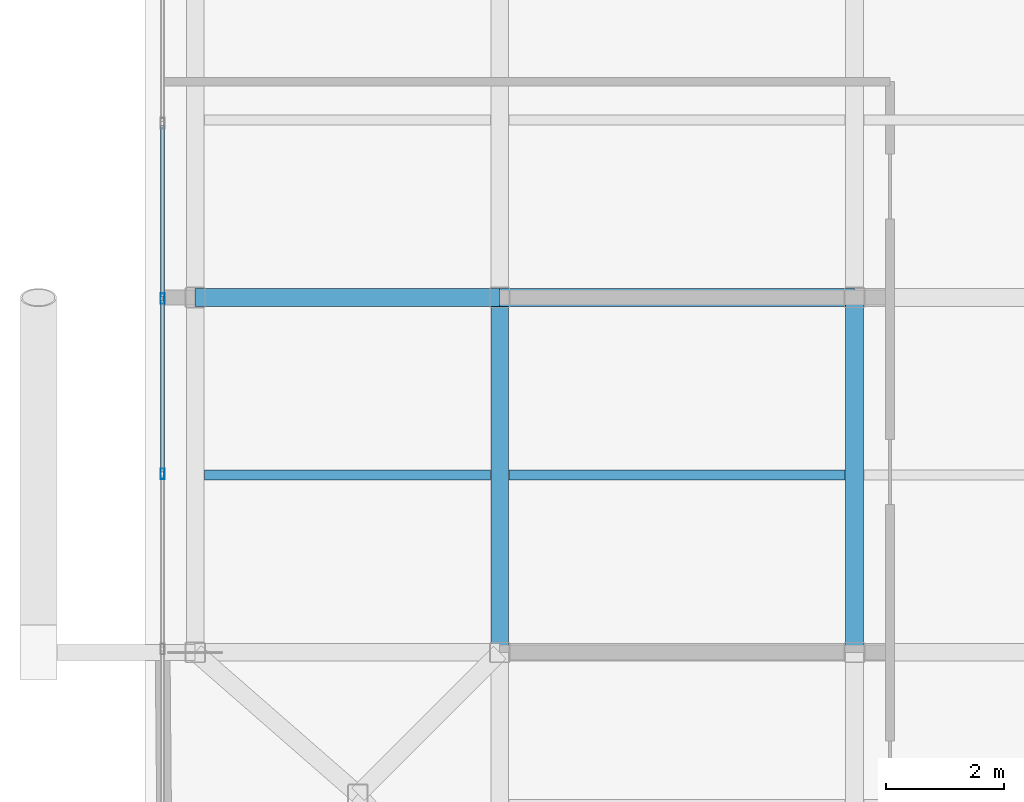
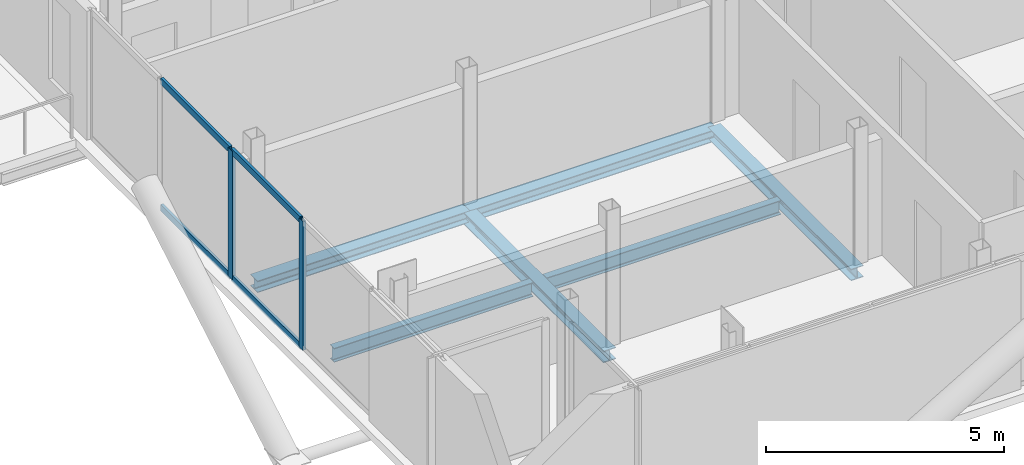
# One storey, part 4 of 19: 6 beams, 6 members, 1 element without a shape of its own.
"""IFC4 building model written with IfcOpenShell, lengths in metres."""

from ifc_helpers import new_model, si_unit, direction, frame, origin, origin_2d, place, context, subcontext, project, spatial, hollow_rectangle, i_section, extrude, material, layer, layer_set, material_profile, profile_set, type_object, element, aggregate, save


model = new_model("IFC4")

# Units and contexts
model_context = context("Model", 3, precision=1e-05, world=origin(), true_north=direction((0.0, 1.0)))
body_context = subcontext(model_context, "Body", "Model", "MODEL_VIEW")
ifc_project = project(units=[si_unit("LENGTHUNIT", "METRE"), si_unit("AREAUNIT", "SQUARE_METRE"), si_unit("VOLUMEUNIT", "CUBIC_METRE"), si_unit("PLANEANGLEUNIT", "RADIAN"), si_unit("MASSUNIT", "GRAM", prefix="KILO"), si_unit("THERMODYNAMICTEMPERATUREUNIT", "KELVIN"), si_unit("POWERUNIT", "WATT")], contexts=[model_context])

# Site, building, storey
site_placement = place(None, origin())
site = spatial("IfcSite", under=ifc_project, at=site_placement, CompositionType="ELEMENT")
building_placement = place(site_placement, origin())
building = spatial("IfcBuilding", under=site, at=building_placement, Name="Svarakhadi Broadcast Tower", CompositionType="ELEMENT")
storey_placement = place(building_placement, frame((0.0, 0.0, 285.199951171875)))
storey = spatial("IfcBuildingStorey", under=building, at=storey_placement, Name="L72", CompositionType="ELEMENT", Elevation=285.199951171875)

# Beams
ifc_material_1 = material(Name="Steel S355J2 (IS 2062 E350C)", Category="steel")
ifc_material_profile_1 = material_profile(ifc_material_1, i_section(OverallWidth=0.169921875, OverallDepth=0.360107421875, WebThickness=0.008056640625, FlangeThickness=0.0126953125, FilletRadius=0.01806640625, at=origin_2d()), Name="NPB 360x170x57")
ifc_profile_set_1 = profile_set([ifc_material_profile_1], Name="Steel S355J2 (IS 2062 E350C)")
beam_type_1 = type_object("IfcBeamType", Name="Beam_NPB360", PredefinedType="BEAM", material=ifc_profile_set_1)
beam_1_placement = place(storey_placement, frame((1.010009765625, 9.0, -0.3798828125), z_axis=(1.0, 0.0, 0.0), x_axis=(0.0, 1.0, 0.0)))
element("IfcBeam", 1, at=beam_1_placement, inside=storey, type_object=beam_type_1, Name="L72 Secondary Composite Beam SB001", PredefinedType="BEAM", context=body_context, shape_type="SweptSolid", body=[
    extrude(i_section(OverallWidth=0.169921875, OverallDepth=0.360107421875, WebThickness=0.008056640625, FlangeThickness=0.0126953125, FilletRadius=0.01806640625, at=origin_2d()), origin(), (0.0, 0.0, 1.0), 4.830078125),
])
beam_2_placement = place(storey_placement, frame((6.159912109375, 9.0, -0.3798828125), z_axis=(1.0, 0.0, 0.0), x_axis=(0.0, 1.0, 0.0)))
element("IfcBeam", 2, at=beam_2_placement, inside=storey, type_object=beam_type_1, Name="L72 Secondary Composite Beam SB005", PredefinedType="BEAM", context=body_context, shape_type="SweptSolid", body=[
    extrude(i_section(OverallWidth=0.169921875, OverallDepth=0.360107421875, WebThickness=0.008056640625, FlangeThickness=0.0126953125, FilletRadius=0.01806640625, at=origin_2d()), origin(), (0.0, 0.0, 1.0), 5.68017578125),
])

# Curtain wall, members
ifc_material_2 = material(Name="Anodised Bronze Aluminium AA 6063-T6", Category="aluminium")
ifc_layer = layer(ifc_material_2, 0.179931640625)
ifc_layer_set = layer_set([ifc_layer], Name="Anodised Bronze Aluminium AA 6063-T6")
curtain_wall_type = type_object("IfcCurtainWallType", Name="CW_Sys_05", PredefinedType="NOTDEFINED", material=ifc_layer_set)
curtain_wall_placement = place(storey_placement, origin())
curtain_wall = element("IfcCurtainWall", 3, at=curtain_wall_placement, inside=storey, type_object=curtain_wall_type, Name="L72 West Curtain Wall 02", PredefinedType="NOTDEFINED")
ifc_material_profile_2 = material_profile(ifc_material_2, hollow_rectangle(XDim=0.070068359375, YDim=0.179931640625, WallThickness=0.005615234375, at=origin_2d()), Name="ALU MULLION 180x70x6")
ifc_profile_set_2 = profile_set([ifc_material_profile_2], Name="Anodised Bronze Aluminium AA 6063-T6")
member_type_1 = type_object("IfcMemberType", Name="CW_Sys_05_Mul", PredefinedType="MULLION", material=ifc_profile_set_2)
member_1_placement = place(storey_placement, frame((0.300048828125, 9.01806640625, 0.0), z_axis=(0.0, 0.0, 1.0), x_axis=(-1.0, 0.0, 0.0)))
member_1 = element("IfcMember", 4, at=member_1_placement, type_object=member_type_1, Name="CW-05 mullion 3", PredefinedType="MULLION", context=body_context, shape_type="SweptSolid", body=[
    extrude(hollow_rectangle(XDim=0.070068359375, YDim=0.179931640625, WallThickness=0.005615234375, at=origin_2d()), origin(), (0.0, 0.0, 1.0), 3.300048828125),
])
member_2_placement = place(storey_placement, frame((0.300048828125, 11.98193359375, 0.0), z_axis=(0.0, 0.0, 1.0), x_axis=(-1.0, 0.0, 0.0)))
member_2 = element("IfcMember", 5, at=member_2_placement, type_object=member_type_1, Name="CW-05 mullion 4", PredefinedType="MULLION", context=body_context, shape_type="SweptSolid", body=[
    extrude(hollow_rectangle(XDim=0.070068359375, YDim=0.179931640625, WallThickness=0.005615234375, at=origin_2d()), origin(), (0.0, 0.0, 1.0), 3.300048828125),
])
ifc_material_profile_3 = material_profile(ifc_material_2, hollow_rectangle(XDim=0.06494140625, YDim=0.1650390625, WallThickness=0.0048828125, at=origin_2d()), Name="ALU TRANSOM 165x65x5")
ifc_profile_set_3 = profile_set([ifc_material_profile_3], Name="Anodised Bronze Aluminium AA 6063-T6")
member_type_2 = type_object("IfcMemberType", Name="CW_Sys_05_Trn", PredefinedType="USERDEFINED", material=ifc_profile_set_3)
member_3_placement = place(storey_placement, frame((0.300048828125, 9.052978515625, 0.032470703125), z_axis=(0.0, 1.0, 0.0), x_axis=(-1.0, 0.0, 0.0)))
member_3 = element("IfcMember", 6, at=member_3_placement, type_object=member_type_2, Name="CW-05 transom 3.1", ObjectType="TRANSOM", PredefinedType="USERDEFINED", context=body_context, shape_type="SweptSolid", body=[
    extrude(hollow_rectangle(XDim=0.06494140625, YDim=0.1650390625, WallThickness=0.0048828125, at=origin_2d()), origin(), (0.0, 0.0, 1.0), 2.89404296875),
])
member_4_placement = place(storey_placement, frame((0.300048828125, 9.052978515625, 3.267578125), z_axis=(0.0, 1.0, 0.0), x_axis=(-1.0, 0.0, 0.0)))
member_4 = element("IfcMember", 7, at=member_4_placement, type_object=member_type_2, Name="CW-05 transom 3.2", ObjectType="TRANSOM", PredefinedType="USERDEFINED", context=body_context, shape_type="SweptSolid", body=[
    extrude(hollow_rectangle(XDim=0.06494140625, YDim=0.1650390625, WallThickness=0.0048828125, at=origin_2d()), origin(), (0.0, 0.0, 1.0), 2.89404296875),
])
member_5_placement = place(storey_placement, frame((0.300048828125, 12.01708984375, 0.032470703125), z_axis=(0.0, 1.0, 0.0), x_axis=(-1.0, 0.0, 0.0)))
member_5 = element("IfcMember", 8, at=member_5_placement, type_object=member_type_2, Name="CW-05 transom 4.1", ObjectType="TRANSOM", PredefinedType="USERDEFINED", context=body_context, shape_type="SweptSolid", body=[
    extrude(hollow_rectangle(XDim=0.06494140625, YDim=0.1650390625, WallThickness=0.0048828125, at=origin_2d()), origin(), (0.0, 0.0, 1.0), 2.893798828125),
])
member_6_placement = place(storey_placement, frame((0.300048828125, 12.01708984375, 3.267578125), z_axis=(0.0, 1.0, 0.0), x_axis=(-1.0, 0.0, 0.0)))
member_6 = element("IfcMember", 9, at=member_6_placement, type_object=member_type_2, Name="CW-05 transom 4.2", ObjectType="TRANSOM", PredefinedType="USERDEFINED", context=body_context, shape_type="SweptSolid", body=[
    extrude(hollow_rectangle(XDim=0.06494140625, YDim=0.1650390625, WallThickness=0.0048828125, at=origin_2d()), origin(), (0.0, 0.0, 1.0), 2.893798828125),
])
aggregate(curtain_wall, [member_1, member_2, member_3, member_4, member_5, member_6])

# Beams
ifc_material_profile_4 = material_profile(ifc_material_1, i_section(OverallWidth=0.300048828125, OverallDepth=0.300048828125, WebThickness=0.010986328125, FlangeThickness=0.01904296875, FilletRadius=0.027099609375, at=origin_2d()), Name="WPB 300x300x117")
ifc_profile_set_4 = profile_set([ifc_material_profile_4], Name="Steel S355J2 (IS 2062 E350C)")
beam_type_2 = type_object("IfcBeamType", Name="Girder_WPB300", PredefinedType="USERDEFINED", material=ifc_profile_set_4)
beam_3_placement = place(storey_placement, frame((0.85009765625, 12.0, -0.349853515625), z_axis=(1.0, 0.0, 0.0), x_axis=(0.0, 1.0, 0.0)))
element("IfcBeam", 10, at=beam_3_placement, inside=storey, type_object=beam_type_2, Name="L72 Primary E-W Girder G013", ObjectType="GIRDER", PredefinedType="USERDEFINED", context=body_context, shape_type="SweptSolid", body=[
    extrude(i_section(OverallWidth=0.300048828125, OverallDepth=0.300048828125, WebThickness=0.010986328125, FlangeThickness=0.01904296875, FilletRadius=0.027099609375, at=origin_2d()), origin(), (0.0, 0.0, 1.0), 5.14990234375),
])
for number, where, z_axis, x_axis, name in (
    (11, (6.0, 12.0, -0.349853515625), (1.0, 0.0, 0.0), (0.0, 1.0, 0.0), "L72 Primary E-W Girder G014"),
    (12, (6.0, 6.0, -0.349853515625), (0.0, 1.0, 0.0), (-1.0, 0.0, 0.0), "L72 Primary N-S Girder G030"),
    (13, (12.0, 6.0, -0.349853515625), (0.0, 1.0, 0.0), (-1.0, 0.0, 0.0), "L72 Primary N-S Girder G034"),
):
    element("IfcBeam", number, at=place(storey_placement, frame(where, z_axis=z_axis, x_axis=x_axis)), inside=storey, type_object=beam_type_2, Name=name, ObjectType="GIRDER", PredefinedType="USERDEFINED", context=body_context, shape_type="SweptSolid", body=[
        extrude(i_section(OverallWidth=0.300048828125, OverallDepth=0.300048828125, WebThickness=0.010986328125, FlangeThickness=0.01904296875, FilletRadius=0.027099609375, at=origin_2d()), origin(), (0.0, 0.0, 1.0), 6.0),
    ])

save(model, "model.ifc")
